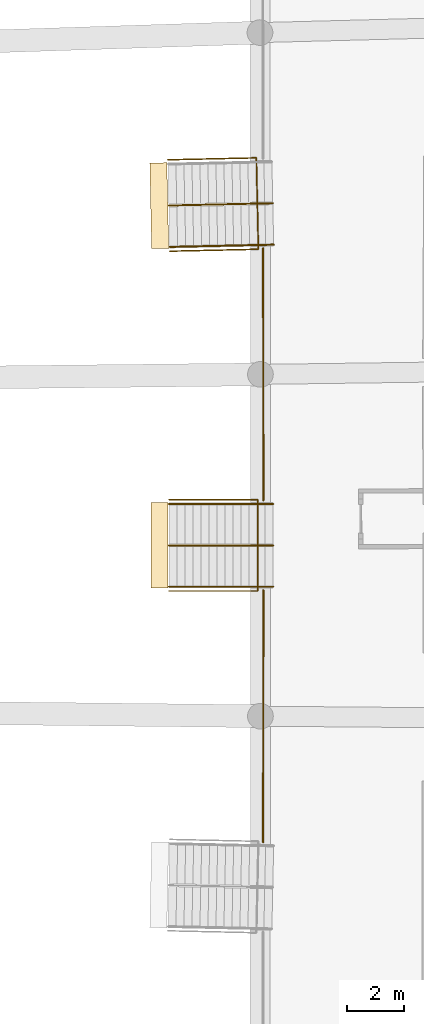
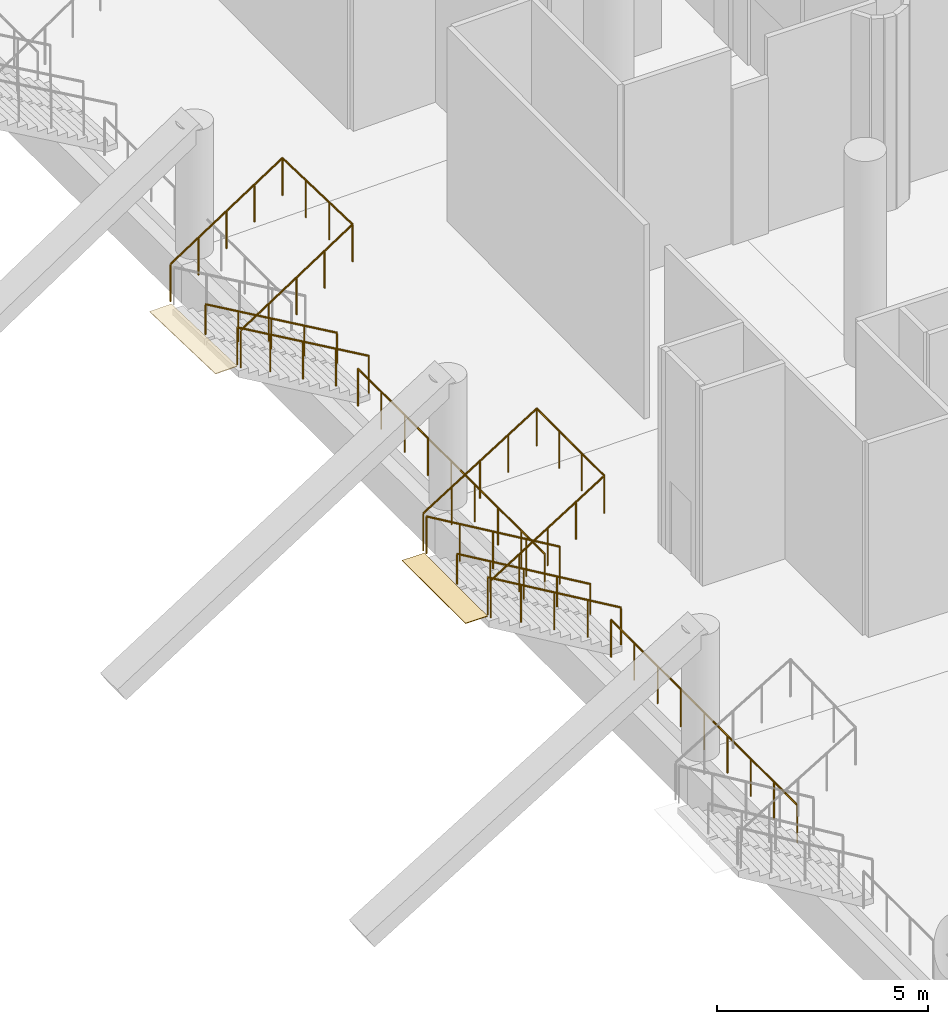
# One storey, part 138 of 173: 9 railings, 2 coverings.
"""IFC4 building model written with IfcOpenShell, lengths in metres."""

import ifcopenshell
import ifcopenshell.guid

model = None  # the IFC model being written
_history = None  # IfcOwnerHistory: only IFC2X3 demands one
_inside = {}  # id of a spatial element -> (the spatial element, [elements in it])
_under = {}  # id of a project, library or spatial element -> (it, [spatial elements below it])
_declared = {}  # id of a project -> (the project, [libraries it declares])
_typed = {}  # id of a type object -> (the type object, [elements of that type])
_made_of = {}  # id of a material, layer set ... -> (it, [elements and type objects made of it])


def new_model(schema):
    """Start an empty IFC model of exactly this schema.

    Asked for "IFC4X3", IfcOpenShell would pick the latest addendum, in which some entities
    have other attributes; the version numbers below select the first issue.
    IFC2X3 requires an IfcOwnerHistory on every rooted entity: one is made here for all.
    """
    global model, _history
    if schema == "IFC4X3":
        model = ifcopenshell.file(schema_version=(4, 3, 0, 0))
    else:
        model = ifcopenshell.file(schema=schema)
    _inside.clear()
    _under.clear()
    _declared.clear()
    _typed.clear()
    _made_of.clear()
    _history = None
    if model.schema == "IFC2X3":
        org = make("IfcOrganization", Name="unknown")
        user = make(
            "IfcPersonAndOrganization",
            ThePerson=make("IfcPerson", FamilyName="unknown"),
            TheOrganization=org,
        )
        app = make(
            "IfcApplication",
            ApplicationDeveloper=org,
            Version="unknown",
            ApplicationFullName="unknown",
            ApplicationIdentifier="unknown",
        )
        _history = make(
            "IfcOwnerHistory",
            OwningUser=user,
            OwningApplication=app,
            ChangeAction="ADDED",
            CreationDate=0,
        )
    return model


def make(cls, **values):
    """One entity of the class cls with the attributes given. An attribute that is None is left unset."""
    return model.create_entity(
        cls, **{name: value for name, value in values.items() if value is not None}
    )


def rooted(cls, **values):
    """An entity with a GlobalId (a new one), such as an element, a storey or a relation."""
    return make(cls, GlobalId=ifcopenshell.guid.new(), OwnerHistory=_history, **values)


def si_unit(unit_type, name, prefix=None):
    """IfcSIUnit, for example si_unit("LENGTHUNIT", "METRE", prefix="MILLI")."""
    return make("IfcSIUnit", UnitType=unit_type, Prefix=prefix, Name=name)


def assignment(units):
    """IfcUnitAssignment: the units of a project."""
    return None if units is None else make("IfcUnitAssignment", Units=units)


def point(xyz):
    """IfcCartesianPoint."""
    return None if xyz is None else make("IfcCartesianPoint", Coordinates=xyz)


def direction(xyz):
    """IfcDirection."""
    return None if xyz is None else make("IfcDirection", DirectionRatios=xyz)


def frame(location, z_axis=None, x_axis=None):
    """IfcAxis2Placement3D, a coordinate frame: its origin and axes. An axis left out is left unset."""
    return make(
        "IfcAxis2Placement3D",
        Location=point(location),
        Axis=direction(z_axis),
        RefDirection=direction(x_axis),
    )


def frame_2d(location, x_axis=None):
    """IfcAxis2Placement2D, a coordinate frame in the plane: its origin and x axis."""
    return make(
        "IfcAxis2Placement2D", Location=point(location), RefDirection=direction(x_axis)
    )


def origin():
    """The frame at (0, 0, 0) with its axes left unset."""
    return frame((0.0, 0.0, 0.0))


def origin_2d():
    """The frame at (0, 0) in the plane with its x axis left unset."""
    return frame_2d((0.0, 0.0))


def place(relative_to, where):
    """IfcLocalPlacement: puts the frame where relative to a parent placement (None: the world)."""
    return make(
        "IfcLocalPlacement", PlacementRelTo=relative_to, RelativePlacement=where
    )


def context(
    kind, dimensions, precision=None, world=None, true_north=None, identifier=None
):
    """IfcGeometricRepresentationContext, for example the 3D "Model" context."""
    return make(
        "IfcGeometricRepresentationContext",
        ContextIdentifier=identifier,
        ContextType=kind,
        CoordinateSpaceDimension=dimensions,
        Precision=precision,
        WorldCoordinateSystem=world,
        TrueNorth=true_north,
    )


def subcontext(parent, identifier, kind, view, scale=None):
    """IfcGeometricRepresentationSubContext, for example "Body" below "Model"."""
    return make(
        "IfcGeometricRepresentationSubContext",
        ContextIdentifier=identifier,
        ContextType=kind,
        ParentContext=parent,
        TargetScale=scale,
        TargetView=view,
    )


def project(units=None, contexts=None):
    """IfcProject with its units and contexts."""
    return rooted(
        "IfcProject",
        Name="project",
        RepresentationContexts=contexts,
        UnitsInContext=assignment(units),
    )


def spatial(cls, under=None, at=None, **own):
    """A site, building, storey or space (cls), placed at a placement, below another one or the project."""
    s = rooted(cls, ObjectPlacement=at, **own)
    if under is not None:
        _under.setdefault(under.id(), (under, []))[1].append(s)
    return s


def profile(cls, at=None, kind="AREA", **sizes):
    """A parametric profile (cls). Its sizes go by their IFC names, for example OverallWidth=200.0."""
    return make(cls, ProfileType=kind, Position=at, **sizes)


def rectangle(**sizes):
    """IfcRectangleProfileDef."""
    return profile("IfcRectangleProfileDef", **sizes)


def circle(**sizes):
    """IfcCircleProfileDef."""
    return profile("IfcCircleProfileDef", **sizes)


def extrude(swept, where, along, depth):
    """IfcExtrudedAreaSolid: the profile swept, set in the frame where, extruded along a direction by depth."""
    return make(
        "IfcExtrudedAreaSolid",
        SweptArea=swept,
        Position=where,
        ExtrudedDirection=direction(along),
        Depth=depth,
    )


def shape(context_of_items, identifier, shape_type, items):
    """IfcShapeRepresentation: the items that make up one representation, for example the "Body"."""
    return make(
        "IfcShapeRepresentation",
        ContextOfItems=context_of_items,
        RepresentationIdentifier=identifier,
        RepresentationType=shape_type,
        Items=items,
    )


def material(Name=None, Category=None):
    """IfcMaterial."""
    return make("IfcMaterial", Name=Name, Category=Category)


def layer(
    of_material, thickness, ventilated=None, Name=None, Category=None, Priority=None
):
    """IfcMaterialLayer: one layer of a wall or slab, of a material (None: an air gap)."""
    return make(
        "IfcMaterialLayer",
        Material=of_material,
        LayerThickness=thickness,
        IsVentilated=ventilated,
        Name=Name,
        Category=Category,
        Priority=Priority,
    )


def layer_set(layers, Name=None):
    """IfcMaterialLayerSet."""
    return make("IfcMaterialLayerSet", MaterialLayers=layers, LayerSetName=Name)


def made_of(thing, what):
    """Note that an element or type object is made of a material, layer set ...; save() writes the relation."""
    if what is not None:
        _made_of.setdefault(what.id(), (what, []))[1].append(thing)
    return thing


def type_object(cls, material=None, **own):
    """A type object (cls), such as IfcWallType, which elements share."""
    return made_of(rooted(cls, **own), material)


def element(
    cls,
    number,
    at=None,
    inside=None,
    cuts=None,
    type_object=None,
    material=None,
    context=None,
    identifier="Body",
    shape_type=None,
    held_by="IfcProductDefinitionShape",
    body=None,
    shapes=None,
    **own,
):
    """One element of the class cls, such as IfcWall. Its Tag is "e" and its number.

    at: its placement. inside: the storey or other place that contains it. cuts: it is an
    opening in that element (IfcRelVoidsElement). A single representation is given by context,
    identifier, shape_type and body (its items); several are given by shapes. held_by: the class
    of the entity that holds the representations. save() writes the other relations.
    """
    e = rooted(cls, Tag="e%d" % number, ObjectPlacement=at, **own)
    if body is not None:
        shapes = [shape(context, identifier, shape_type, body)]
    if shapes is not None:
        e.Representation = make(held_by, Representations=shapes)
    if inside is not None:
        _inside.setdefault(inside.id(), (inside, []))[1].append(e)
    if cuts is not None:
        rooted(
            "IfcRelVoidsElement", RelatingBuildingElement=cuts, RelatedOpeningElement=e
        )
    if type_object is not None:
        _typed.setdefault(type_object.id(), (type_object, []))[1].append(e)
    return made_of(e, material)


def aggregate(whole, parts):
    """IfcRelAggregates: a whole, such as a stair, and the parts it consists of."""
    return rooted("IfcRelAggregates", RelatingObject=whole, RelatedObjects=parts)


def save(model, path):
    """Write the relations noted so far, then the file.

    IfcRelAggregates (storeys below a building ...), IfcRelContainedInSpatialStructure (elements
    in a storey), IfcRelDefinesByType, IfcRelAssociatesMaterial and IfcRelDeclares: one each for
    every whole, place, type object, material and project.
    """
    for whole, parts in _under.values():
        aggregate(whole, parts)
    for where, things in _inside.values():
        rooted(
            "IfcRelContainedInSpatialStructure",
            RelatedElements=things,
            RelatingStructure=where,
        )
    for kind, things in _typed.values():
        rooted("IfcRelDefinesByType", RelatedObjects=things, RelatingType=kind)
    for what, things in _made_of.values():
        rooted("IfcRelAssociatesMaterial", RelatedObjects=things, RelatingMaterial=what)
    for by, libraries in _declared.values():
        rooted("IfcRelDeclares", RelatingContext=by, RelatedDefinitions=libraries)
    model.write(path)


model = new_model("IFC4")

# Units and contexts
model_context = context("Model", 3, precision=1e-05, world=origin(), true_north=direction((0.0, 1.0)))
body_context = subcontext(model_context, "Body", "Model", "MODEL_VIEW")
ifc_project = project(units=[si_unit("LENGTHUNIT", "METRE"), si_unit("AREAUNIT", "SQUARE_METRE"), si_unit("VOLUMEUNIT", "CUBIC_METRE"), si_unit("PLANEANGLEUNIT", "RADIAN"), si_unit("MASSUNIT", "GRAM", prefix="KILO")], contexts=[model_context])

# Site, building, storey
site_placement = place(None, origin())
site = spatial("IfcSite", under=ifc_project, at=site_placement, CompositionType="ELEMENT")
building_placement = place(site_placement, origin())
building = spatial("IfcBuilding", under=site, at=building_placement, Name="Meseta Stadium", CompositionType="ELEMENT")
storey_placement = place(building_placement, frame((0.0, 0.0, 18.0)))
storey = spatial("IfcBuildingStorey", under=building, at=storey_placement, Name="L03", CompositionType="ELEMENT", Elevation=18.0)

# Railings
ifc_material_1 = material(Name="Steel S355", Category="steel")
railing_type_1 = type_object("IfcRailingType", Name="Plate edge guard 1100", PredefinedType="GUARDRAIL", material=ifc_material_1)
railing_1_placement = place(storey_placement, frame((73.593994140625, -10.394287109375, 0.0)))
element("IfcRailing", 1, at=railing_1_placement, inside=storey, type_object=railing_type_1, Name="L03 inner edge guard 5", PredefinedType="GUARDRAIL", context=body_context, shape_type="SweptSolid", body=[
    extrude(circle(Radius=0.02490234375, at=origin_2d()), frame((0.0, 0.0, 1.0751953125), z_axis=(0.000664010478, 0.999999779545, 0.0), x_axis=(-0.999999779545, 0.000664010478, 0.0)), (0.0, 0.0, 1.0), 8.82421875),
    extrude(circle(Radius=0.02001953125, at=origin_2d()), origin(), (0.0, 0.0, 1.0), 1.050048828125),
    extrude(circle(Radius=0.02001953125, at=origin_2d()), frame((0.000732421875, 1.10302734375, 0.0)), (0.0, 0.0, 1.0), 1.050048828125),
    extrude(circle(Radius=0.02001953125, at=origin_2d()), frame((0.00146484375, 2.2060546875, 0.0)), (0.0, 0.0, 1.0), 1.050048828125),
    extrude(circle(Radius=0.02001953125, at=origin_2d()), frame((0.002197265625, 3.30908203125, 0.0)), (0.0, 0.0, 1.0), 1.050048828125),
    extrude(circle(Radius=0.02001953125, at=origin_2d()), frame((0.0029296875, 4.412109375, 0.0)), (0.0, 0.0, 1.0), 1.050048828125),
    extrude(circle(Radius=0.02001953125, at=origin_2d()), frame((0.003662109375, 5.51513671875, 0.0)), (0.0, 0.0, 1.0), 1.050048828125),
    extrude(circle(Radius=0.02001953125, at=origin_2d()), frame((0.00439453125, 6.6181640625, 0.0)), (0.0, 0.0, 1.0), 1.050048828125),
    extrude(circle(Radius=0.02001953125, at=origin_2d()), frame((0.005126953125, 7.72119140625, 0.0)), (0.0, 0.0, 1.0), 1.050048828125),
    extrude(circle(Radius=0.02001953125, at=origin_2d()), frame((0.005859375, 8.82421875, 0.0)), (0.0, 0.0, 1.0), 1.050048828125),
])
railing_2_placement = place(storey_placement, frame((73.599853515625, 1.570068359375, 0.0)))
element("IfcRailing", 2, at=railing_2_placement, inside=storey, type_object=railing_type_1, Name="L03 inner edge guard 6", PredefinedType="GUARDRAIL", context=body_context, shape_type="SweptSolid", body=[
    extrude(circle(Radius=0.02490234375, at=origin_2d()), frame((0.0, 0.0, 1.0751953125), z_axis=(-0.000664010478, 0.999999779545, 0.0), x_axis=(-0.999999779545, -0.000664010478, 0.0)), (0.0, 0.0, 1.0), 8.82421875),
    extrude(circle(Radius=0.02001953125, at=origin_2d()), origin(), (0.0, 0.0, 1.0), 1.050048828125),
    extrude(circle(Radius=0.02001953125, at=origin_2d()), frame((-0.000732421875, 1.10302734375, 0.0)), (0.0, 0.0, 1.0), 1.050048828125),
    extrude(circle(Radius=0.02001953125, at=origin_2d()), frame((-0.00146484375, 2.2060546875, 0.0)), (0.0, 0.0, 1.0), 1.050048828125),
    extrude(circle(Radius=0.02001953125, at=origin_2d()), frame((-0.002197265625, 3.30908203125, 0.0)), (0.0, 0.0, 1.0), 1.050048828125),
    extrude(circle(Radius=0.02001953125, at=origin_2d()), frame((-0.0029296875, 4.412109375, 0.0)), (0.0, 0.0, 1.0), 1.050048828125),
    extrude(circle(Radius=0.02001953125, at=origin_2d()), frame((-0.003662109375, 5.51513671875, 0.0)), (0.0, 0.0, 1.0), 1.050048828125),
    extrude(circle(Radius=0.02001953125, at=origin_2d()), frame((-0.00439453125, 6.6181640625, 0.0)), (0.0, 0.0, 1.0), 1.050048828125),
    extrude(circle(Radius=0.02001953125, at=origin_2d()), frame((-0.005126953125, 7.72119140625, 0.0)), (0.0, 0.0, 1.0), 1.050048828125),
    extrude(circle(Radius=0.02001953125, at=origin_2d()), frame((-0.005859375, 8.82421875, 0.0)), (0.0, 0.0, 1.0), 1.050048828125),
])

# Coverings
ifc_material_2 = material(Name="Stone paving", Category="masonry")
ifc_layer = layer(ifc_material_2, 0.02001953125)
ifc_layer_set = layer_set([ifc_layer], Name="Vomitory exit threshold plate 20")
covering_type = type_object("IfcCoveringType", Name="Vomitory exit threshold plate 20", PredefinedType="FLOORING", material=ifc_layer_set)
for number, where, z_axis, x_axis, name in (
    (3, (69.964111328125, 0.0, 2.2919921875), (0.0, 0.0, 1.0), (-1.0, 0.0, 0.0), "Vomitory V-upper-05 exit threshold"),
    (4, (69.957275390625, 11.885009765625, 2.2919921875), (0.0, 0.0, 1.0), (-0.999759622364, -0.021924814479, 0.0), "Vomitory V-upper-06 exit threshold"),
):
    element("IfcCovering", number, at=place(storey_placement, frame(where, z_axis=z_axis, x_axis=x_axis)), inside=storey, type_object=covering_type, Name=name, PredefinedType="FLOORING", context=body_context, shape_type="SweptSolid", body=[
        extrude(rectangle(XDim=0.60009765625, YDim=3.0, at=origin_2d()), origin(), (0.0, 0.0, 1.0), 0.02001953125),
    ])

# Railings
ifc_material_3 = material(Name="Steel S355", Category="steel")
railing_type_2 = type_object("IfcRailingType", Name="Vomitory slot guard 1100", PredefinedType="GUARDRAIL", material=ifc_material_3)
railing_3_placement = place(storey_placement, frame((70.298095703125, 1.60009765625, 2.31201171875)))
element("IfcRailing", 5, at=railing_3_placement, inside=storey, type_object=railing_type_2, Name="Vomitory V-upper-05 slot guard", PredefinedType="GUARDRAIL", context=body_context, shape_type="SweptSolid", body=[
    extrude(circle(Radius=0.02490234375, at=origin_2d()), frame((0.0, 0.0, 1.0751953125), z_axis=(0.848005807586, 0.0, 0.529986934084), x_axis=(0.0, 1.0, 0.0)), (0.0, 0.0, 1.0), 3.65576171875),
    extrude(circle(Radius=0.02490234375, at=origin_2d()), frame((3.10009765625, 0.0, 3.0126953125), z_axis=(0.0, -1.0, 0.0), x_axis=(1.0, 0.0, 0.0)), (0.0, 0.0, 1.0), 3.2001953125),
    extrude(circle(Radius=0.02490234375, at=origin_2d()), frame((3.10009765625, -3.2001953125, 3.0126953125), z_axis=(-0.848005807586, 0.0, -0.529986934084), x_axis=(0.0, -1.0, 0.0)), (0.0, 0.0, 1.0), 3.65576171875),
    extrude(circle(Radius=0.02001953125, at=origin_2d()), origin(), (0.0, 0.0, 1.0), 1.050048828125),
    extrude(circle(Radius=0.02001953125, at=origin_2d()), frame((0.77490234375, 0.0, 0.484375)), (0.0, 0.0, 1.0), 1.050048828125),
    extrude(circle(Radius=0.02001953125, at=origin_2d()), frame((1.550048828125, 0.0, 0.96875)), (0.0, 0.0, 1.0), 1.050048828125),
    extrude(circle(Radius=0.02001953125, at=origin_2d()), frame((2.3251953125, 0.0, 1.453125)), (0.0, 0.0, 1.0), 1.050048828125),
    extrude(circle(Radius=0.02001953125, at=origin_2d()), frame((3.10009765625, 0.0, 1.9375)), (0.0, 0.0, 1.0), 1.050048828125),
    extrude(circle(Radius=0.02001953125, at=origin_2d()), frame((3.10009765625, -1.066650390625, 1.9375)), (0.0, 0.0, 1.0), 1.050048828125),
    extrude(circle(Radius=0.02001953125, at=origin_2d()), frame((3.10009765625, -2.133544921875, 1.9375)), (0.0, 0.0, 1.0), 1.050048828125),
    extrude(circle(Radius=0.02001953125, at=origin_2d()), frame((3.10009765625, -3.2001953125, 1.9375)), (0.0, 0.0, 1.0), 1.050048828125),
    extrude(circle(Radius=0.02001953125, at=origin_2d()), frame((2.3251953125, -3.2001953125, 1.453125)), (0.0, 0.0, 1.0), 1.050048828125),
    extrude(circle(Radius=0.02001953125, at=origin_2d()), frame((1.550048828125, -3.2001953125, 0.96875)), (0.0, 0.0, 1.0), 1.050048828125),
    extrude(circle(Radius=0.02001953125, at=origin_2d()), frame((0.77490234375, -3.2001953125, 0.484375)), (0.0, 0.0, 1.0), 1.050048828125),
    extrude(circle(Radius=0.02001953125, at=origin_2d()), frame((0.0, -3.2001953125, 0.0)), (0.0, 0.0, 1.0), 1.050048828125),
])
railing_4_placement = place(storey_placement, frame((70.256103515625, 13.491943359375, 2.31201171875)))
element("IfcRailing", 6, at=railing_4_placement, inside=storey, type_object=railing_type_2, Name="Vomitory V-upper-06 slot guard", PredefinedType="GUARDRAIL", context=body_context, shape_type="SweptSolid", body=[
    extrude(circle(Radius=0.02490234375, at=origin_2d()), frame((0.0, 0.0, 1.0751953125), z_axis=(0.847803370628, 0.018565524776, 0.529985628146), x_axis=(-0.021893136511, 0.999760316563, 0.0)), (0.0, 0.0, 1.0), 3.65576171875),
    extrude(circle(Radius=0.02490234375, at=origin_2d()), frame((3.099365234375, 0.06787109375, 3.0126953125), z_axis=(0.021896458331, -0.999760243815, 0.0), x_axis=(0.999760243815, 0.021896458331, 0.0)), (0.0, 0.0, 1.0), 3.199951171875),
    extrude(circle(Radius=0.02490234375, at=origin_2d()), frame((3.16943359375, -3.13134765625, 3.0126953125), z_axis=(-0.847784587838, -0.018566575974, -0.530015636449), x_axis=(0.021894860368, -0.999760278812, 0.0)), (0.0, 0.0, 1.0), 3.655517578125),
    extrude(circle(Radius=0.02001953125, at=origin_2d()), origin(), (0.0, 0.0, 1.0), 1.050048828125),
    extrude(circle(Radius=0.02001953125, at=origin_2d()), frame((0.77490234375, 0.01708984375, 0.484375)), (0.0, 0.0, 1.0), 1.050048828125),
    extrude(circle(Radius=0.02001953125, at=origin_2d()), frame((1.5498046875, 0.033935546875, 0.96875)), (0.0, 0.0, 1.0), 1.050048828125),
    extrude(circle(Radius=0.02001953125, at=origin_2d()), frame((2.324462890625, 0.05078125, 1.453125)), (0.0, 0.0, 1.0), 1.050048828125),
    extrude(circle(Radius=0.02001953125, at=origin_2d()), frame((3.099365234375, 0.06787109375, 1.9375)), (0.0, 0.0, 1.0), 1.050048828125),
    extrude(circle(Radius=0.02001953125, at=origin_2d()), frame((3.122802734375, -0.99853515625, 1.9375)), (0.0, 0.0, 1.0), 1.050048828125),
    extrude(circle(Radius=0.02001953125, at=origin_2d()), frame((3.14599609375, -2.06494140625, 1.9375)), (0.0, 0.0, 1.0), 1.050048828125),
    extrude(circle(Radius=0.02001953125, at=origin_2d()), frame((3.16943359375, -3.13134765625, 1.9375)), (0.0, 0.0, 1.0), 1.050048828125),
    extrude(circle(Radius=0.02001953125, at=origin_2d()), frame((2.39453125, -3.1484375, 1.453125)), (0.0, 0.0, 1.0), 1.050048828125),
    extrude(circle(Radius=0.02001953125, at=origin_2d()), frame((1.619873046875, -3.165283203125, 0.96875)), (0.0, 0.0, 1.0), 1.050048828125),
    extrude(circle(Radius=0.02001953125, at=origin_2d()), frame((0.84521484375, -3.18212890625, 0.484375)), (0.0, 0.0, 1.0), 1.050048828125),
    extrude(circle(Radius=0.02001953125, at=origin_2d()), frame((0.0703125, -3.19921875, 0.0)), (0.0, 0.0, 1.0), 1.050048828125),
])
ifc_material_4 = material(Name="Steel S355", Category="steel")
railing_type_3 = type_object("IfcRailingType", Name="Vomitory stair guard 1100", PredefinedType="GUARDRAIL", material=ifc_material_4)
for number, where, name in (
    (7, (73.938232421875, -1.449951171875, 0.1650390625), "Vomitory V-upper-05 guard left"),
    (8, (73.938232421875, 1.449951171875, 0.1650390625), "Vomitory V-upper-05 guard right"),
):
    element("IfcRailing", number, at=place(storey_placement, frame(where)), inside=storey, type_object=railing_type_3, Name=name, PredefinedType="GUARDRAIL", context=body_context, shape_type="SweptSolid", body=[
        extrude(circle(Radius=0.02490234375, at=origin_2d()), frame((0.0, 0.0, 1.0751953125), z_axis=(-0.861342569251, 0.0, 0.50802458444), x_axis=(0.0, -1.0, 0.0)), (0.0, 0.0, 1.0), 4.22607421875),
        extrude(circle(Radius=0.02001953125, at=origin_2d()), origin(), (0.0, 0.0, 1.0), 1.050048828125),
        extrude(circle(Radius=0.02001953125, at=origin_2d()), frame((-0.91015625, 0.0, 0.53662109375)), (0.0, 0.0, 1.0), 1.050048828125),
        extrude(circle(Radius=0.02001953125, at=origin_2d()), frame((-1.820068359375, 0.0, 1.073486328125)), (0.0, 0.0, 1.0), 1.050048828125),
        extrude(circle(Radius=0.02001953125, at=origin_2d()), frame((-2.72998046875, 0.0, 1.6103515625)), (0.0, 0.0, 1.0), 1.050048828125),
        extrude(circle(Radius=0.02001953125, at=origin_2d()), frame((-3.64013671875, 0.0, 2.14697265625)), (0.0, 0.0, 1.0), 1.050048828125),
    ])
railing_5_placement = place(storey_placement, frame((73.962158203125, 10.5224609375, 0.1650390625)))
element("IfcRailing", 9, at=railing_5_placement, inside=storey, type_object=railing_type_3, Name="Vomitory V-upper-06 guard left", PredefinedType="GUARDRAIL", context=body_context, shape_type="SweptSolid", body=[
    extrude(circle(Radius=0.02490234375, at=origin_2d()), frame((0.0, 0.0, 1.0751953125), z_axis=(-0.861129216116, -0.018891000515, 0.508035041361), x_axis=(0.021932198011, -0.999759460416, 0.0)), (0.0, 0.0, 1.0), 4.22607421875),
    extrude(circle(Radius=0.02001953125, at=origin_2d()), origin(), (0.0, 0.0, 1.0), 1.050048828125),
    extrude(circle(Radius=0.02001953125, at=origin_2d()), frame((-0.90966796875, -0.02001953125, 0.53662109375)), (0.0, 0.0, 1.0), 1.050048828125),
    extrude(circle(Radius=0.02001953125, at=origin_2d()), frame((-1.819580078125, -0.0400390625, 1.073486328125)), (0.0, 0.0, 1.0), 1.050048828125),
    extrude(circle(Radius=0.02001953125, at=origin_2d()), frame((-2.7294921875, -0.059814453125, 1.6103515625)), (0.0, 0.0, 1.0), 1.050048828125),
    extrude(circle(Radius=0.02001953125, at=origin_2d()), frame((-3.63916015625, -0.079833984375, 2.14697265625)), (0.0, 0.0, 1.0), 1.050048828125),
])
ifc_material_5 = material(Name="Steel S355", Category="steel")
railing_type_4 = type_object("IfcRailingType", Name="Vomitory stair handrail 900", PredefinedType="HANDRAIL", material=ifc_material_5)
railing_6_placement = place(storey_placement, frame((73.938232421875, 0.0, 0.1650390625)))
element("IfcRailing", 10, at=railing_6_placement, inside=storey, type_object=railing_type_4, Name="Vomitory V-upper-05 central handrail", PredefinedType="HANDRAIL", context=body_context, shape_type="SweptSolid", body=[
    extrude(circle(Radius=0.02490234375, at=origin_2d()), frame((0.0, 0.0, 0.875), z_axis=(-0.861342569251, 0.0, 0.50802458444), x_axis=(0.0, -1.0, 0.0)), (0.0, 0.0, 1.0), 4.22607421875),
    extrude(circle(Radius=0.02001953125, at=origin_2d()), origin(), (0.0, 0.0, 1.0), 0.849853515625),
    extrude(circle(Radius=0.02001953125, at=origin_2d()), frame((-0.91015625, 0.0, 0.53662109375)), (0.0, 0.0, 1.0), 0.849853515625),
    extrude(circle(Radius=0.02001953125, at=origin_2d()), frame((-1.820068359375, 0.0, 1.073486328125)), (0.0, 0.0, 1.0), 0.849853515625),
    extrude(circle(Radius=0.02001953125, at=origin_2d()), frame((-2.72998046875, 0.0, 1.6103515625)), (0.0, 0.0, 1.0), 0.849853515625),
    extrude(circle(Radius=0.02001953125, at=origin_2d()), frame((-3.64013671875, 0.0, 2.14697265625)), (0.0, 0.0, 1.0), 0.849853515625),
])
railing_7_placement = place(storey_placement, frame((73.930419921875, 11.97216796875, 0.1650390625)))
element("IfcRailing", 11, at=railing_7_placement, inside=storey, type_object=railing_type_4, Name="Vomitory V-upper-06 central handrail", PredefinedType="HANDRAIL", context=body_context, shape_type="SweptSolid", body=[
    extrude(circle(Radius=0.02490234375, at=origin_2d()), frame((0.0, 0.0, 0.875), z_axis=(-0.861129216116, -0.018891000515, 0.508035041361), x_axis=(0.021932198011, -0.999759460416, 0.0)), (0.0, 0.0, 1.0), 4.22607421875),
    extrude(circle(Radius=0.02001953125, at=origin_2d()), origin(), (0.0, 0.0, 1.0), 0.849853515625),
    extrude(circle(Radius=0.02001953125, at=origin_2d()), frame((-0.90966796875, -0.02001953125, 0.53662109375)), (0.0, 0.0, 1.0), 0.849853515625),
    extrude(circle(Radius=0.02001953125, at=origin_2d()), frame((-1.819580078125, -0.0400390625, 1.073486328125)), (0.0, 0.0, 1.0), 0.849853515625),
    extrude(circle(Radius=0.02001953125, at=origin_2d()), frame((-2.7294921875, -0.059814453125, 1.6103515625)), (0.0, 0.0, 1.0), 0.849853515625),
    extrude(circle(Radius=0.02001953125, at=origin_2d()), frame((-3.63916015625, -0.079833984375, 2.14697265625)), (0.0, 0.0, 1.0), 0.849853515625),
])

save(model, "model.ifc")
